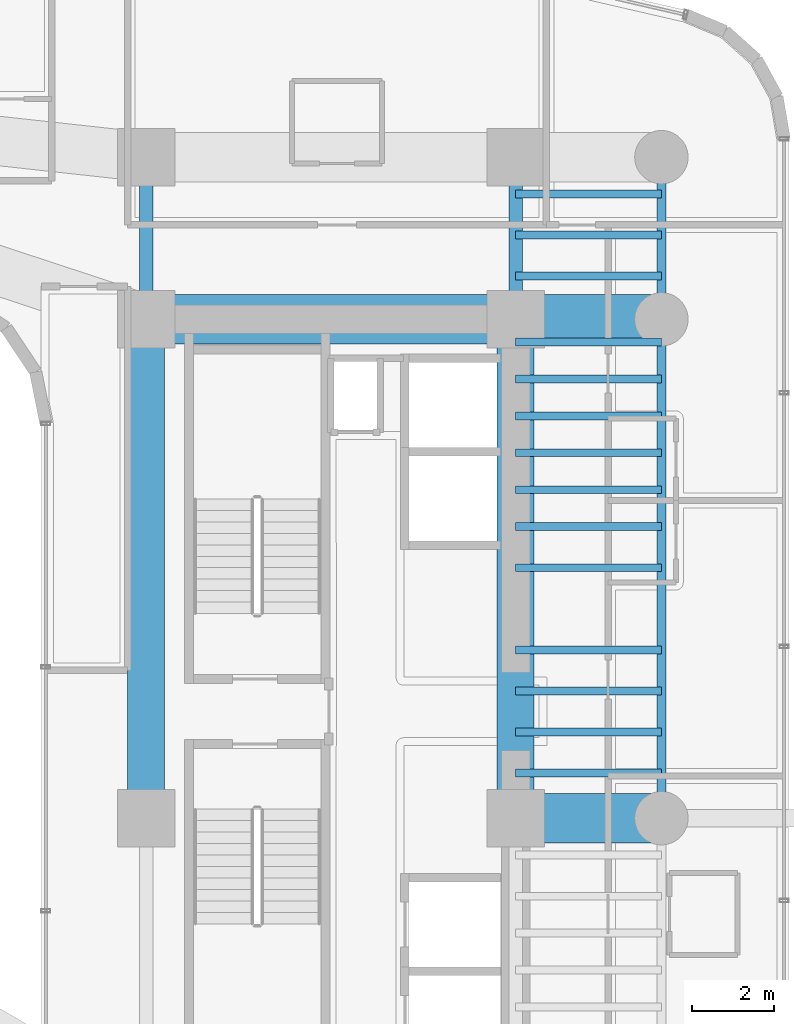
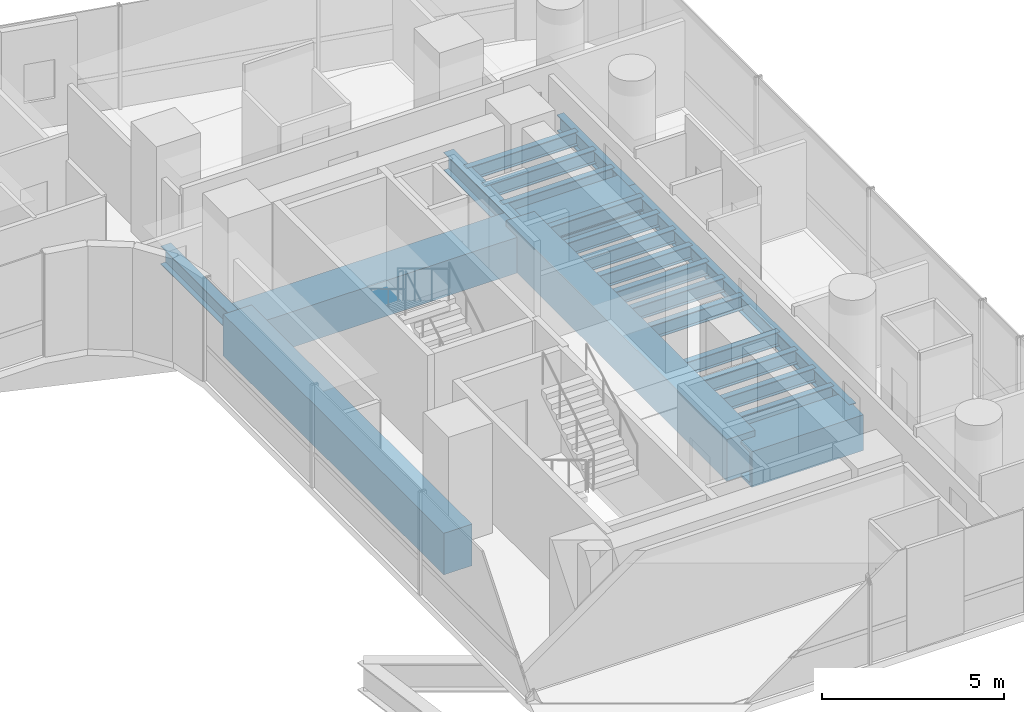
# One storey, part 20 of 50: 23 beams.
"""IFC4 building model written with IfcOpenShell, lengths in metres."""

from ifc_helpers import new_model, si_unit, direction, frame, origin, origin_2d, place, context, subcontext, project, spatial, rectangle, hollow_rectangle, i_section, extrude, source, transform, mapped, material, material_profile, profile_set, type_object, element, save


model = new_model("IFC4")

# Units and contexts
model_context = context("Model", 3, precision=1e-05, world=origin(), true_north=direction((0.0, 1.0)))
body_context = subcontext(model_context, "Body", "Model", "MODEL_VIEW")
ifc_project = project(units=[si_unit("LENGTHUNIT", "METRE"), si_unit("AREAUNIT", "SQUARE_METRE"), si_unit("VOLUMEUNIT", "CUBIC_METRE"), si_unit("PLANEANGLEUNIT", "RADIAN"), si_unit("MASSUNIT", "GRAM", prefix="KILO")], contexts=[model_context])

# Site, building, storey
site_placement = place(None, origin())
site = spatial("IfcSite", under=ifc_project, at=site_placement, CompositionType="ELEMENT")
building_placement = place(site_placement, origin())
building = spatial("IfcBuilding", under=site, at=building_placement, Name="Valdorenza Pilgrim Sanctuary Tower", CompositionType="ELEMENT")
storey_placement = place(building_placement, frame((0.0, 0.0, 26.0)))
storey = spatial("IfcBuildingStorey", under=building, at=storey_placement, Name="L05", CompositionType="ELEMENT", Elevation=26.0)

# Beams
ifc_material_1 = material(Name="Concrete C60/75", Category="concrete")
ifc_material_profile_1 = material_profile(ifc_material_1, rectangle(XDim=0.89990234375, YDim=1.39990234375, at=origin_2d()), Name="RC 1400x900")
ifc_profile_set_1 = profile_set([ifc_material_profile_1], Name="Concrete C60/75")
beam_type_1 = type_object("IfcBeamType", Name="STR-BM-LNT-1400", PredefinedType="LINTEL", material=ifc_profile_set_1)
shared_shape_1 = source(origin(), body_context, "Body", "SweptSolid", [
    extrude(rectangle(XDim=0.89990234375, YDim=1.39990234375, at=origin_2d()), origin(), (0.0, 0.0, 1.0), 12.150146484375),
])
for number, where, z_axis, x_axis, name in (
    (1, (15.85009765625, -2.60009765625, -0.739990234375), (0.0, 1.0, 0.0), (-1.0, 0.0, 0.0), "L05 Core B West Coupling Lintel Girder"),
    (2, (24.85009765625, -2.60009765625, -0.739990234375), (0.0, 1.0, 0.0), (-1.0, 0.0, 0.0), "L05 Core B East Coupling Lintel Girder"),
):
    element("IfcBeam", number, at=place(storey_placement, frame(where, z_axis=z_axis, x_axis=x_axis)), inside=storey, type_object=beam_type_1, Name=name, PredefinedType="LINTEL", context=body_context, shape_type="MappedRepresentation", body=[
        mapped(shared_shape_1, transform((0.0, 0.0, 0.0), x_axis=(1.0, 0.0, 0.0), y_axis=(0.0, 1.0, 0.0), z_axis=(0.0, 0.0, 1.0), scale=1.0)),
    ])
ifc_material_2 = material(Name="Steel ASTM A992 Grade 50", Category="steel")
ifc_material_profile_2 = material_profile(ifc_material_2, i_section(OverallWidth=0.214111328125, OverallDepth=0.549072265625, WebThickness=0.0146484375, FlangeThickness=0.023681640625, at=origin_2d()), Name="W21X93")
ifc_profile_set_2 = profile_set([ifc_material_profile_2], Name="Steel ASTM A992 Grade 50")
beam_type_2 = type_object("IfcBeamType", Name="STR-BM-SPN-W21A", PredefinedType="SPANDREL", material=ifc_profile_set_2)
shared_shape_2 = source(origin(), body_context, "Body", "SweptSolid", [
    extrude(i_section(OverallWidth=0.214111328125, OverallDepth=0.549072265625, WebThickness=0.0146484375, FlangeThickness=0.023681640625, at=origin_2d()), origin(), (0.0, 0.0, 1.0), 12.150146484375),
])
beam_1_placement = place(storey_placement, frame((28.39990234375, -2.60009765625, -0.514404296875), z_axis=(0.0, 1.0, 0.0), x_axis=(-1.0, 0.0, 0.0)))
element("IfcBeam", 3, at=beam_1_placement, inside=storey, type_object=beam_type_2, Name="L05 Spandrel Beam WB-E-M0N1", PredefinedType="SPANDREL", context=body_context, shape_type="MappedRepresentation", body=[
    mapped(shared_shape_2, transform((0.0, 0.0, 0.0), x_axis=(1.0, 0.0, 0.0), y_axis=(0.0, 1.0, 0.0), z_axis=(0.0, 0.0, 1.0), scale=1.0)),
])
ifc_material_profile_3 = material_profile(ifc_material_2, i_section(OverallWidth=0.323974609375, OverallDepth=0.611083984375, WebThickness=0.0126953125, FlangeThickness=0.01904296875, at=origin_2d()), Name="W24X104")
ifc_profile_set_3 = profile_set([ifc_material_profile_3], Name="Steel ASTM A992 Grade 50")
beam_type_3 = type_object("IfcBeamType", Name="STR-BM-GRD-W24B", PredefinedType="BEAM", material=ifc_profile_set_3)
shared_shape_3 = source(origin(), body_context, "Body", "SweptSolid", [
    extrude(i_section(OverallWidth=0.323974609375, OverallDepth=0.611083984375, WebThickness=0.0126953125, FlangeThickness=0.01904296875, at=origin_2d()), origin(), (0.0, 0.0, 1.0), 3.949951171875),
])
for number, where, z_axis, x_axis, name in (
    (4, (15.85009765625, 9.550048828125, -0.54541015625), (0.0, 1.0, 0.0), (-1.0, 0.0, 0.0), "L05 Core Tie Girder CB-W-N1N2"),
    (5, (24.85009765625, 9.550048828125, -0.54541015625), (0.0, 1.0, 0.0), (-1.0, 0.0, 0.0), "L05 Core Tie Girder CB-E-N1N2"),
):
    element("IfcBeam", number, at=place(storey_placement, frame(where, z_axis=z_axis, x_axis=x_axis)), inside=storey, type_object=beam_type_3, Name=name, PredefinedType="BEAM", context=body_context, shape_type="MappedRepresentation", body=[
        mapped(shared_shape_3, transform((0.0, 0.0, 0.0), x_axis=(1.0, 0.0, 0.0), y_axis=(0.0, 1.0, 0.0), z_axis=(0.0, 0.0, 1.0), scale=1.0)),
    ])
shared_shape_4 = source(origin(), body_context, "Body", "SweptSolid", [
    extrude(i_section(OverallWidth=0.214111328125, OverallDepth=0.549072265625, WebThickness=0.0146484375, FlangeThickness=0.023681640625, at=origin_2d()), origin(), (0.0, 0.0, 1.0), 3.949951171875),
])
beam_2_placement = place(storey_placement, frame((28.39990234375, 9.550048828125, -0.514404296875), z_axis=(0.0, 1.0, 0.0), x_axis=(-1.0, 0.0, 0.0)))
element("IfcBeam", 6, at=beam_2_placement, inside=storey, type_object=beam_type_2, Name="L05 Spandrel Beam WB-E-N1N2", PredefinedType="SPANDREL", context=body_context, shape_type="MappedRepresentation", body=[
    mapped(shared_shape_4, transform((0.0, 0.0, 0.0), x_axis=(1.0, 0.0, 0.0), y_axis=(0.0, 1.0, 0.0), z_axis=(0.0, 0.0, 1.0), scale=1.0)),
])
ifc_material_profile_4 = material_profile(ifc_material_2, i_section(OverallWidth=0.193115234375, OverallDepth=0.466064453125, WebThickness=0.011474609375, FlangeThickness=0.01904296875, at=origin_2d()), Name="W18X65")
ifc_profile_set_4 = profile_set([ifc_material_profile_4], Name="Steel ASTM A992 Grade 50")
beam_type_4 = type_object("IfcBeamType", Name="STR-BM-JST-W18A", PredefinedType="JOIST", material=ifc_profile_set_4)
shared_shape_5 = source(origin(), body_context, "Body", "SweptSolid", [
    extrude(i_section(OverallWidth=0.193115234375, OverallDepth=0.466064453125, WebThickness=0.011474609375, FlangeThickness=0.01904296875, at=origin_2d()), origin(), (0.0, 0.0, 1.0), 3.5498046875),
])
for number, where, z_axis, x_axis, name in (
    (7, (24.85009765625, -1.5, -0.472900390625), (1.0, 0.0, 0.0), (0.0, 1.0, 0.0), "L05 Composite Floor Joist JST-WB-8"),
    (8, (24.85009765625, -0.5, -0.472900390625), (1.0, 0.0, 0.0), (0.0, 1.0, 0.0), "L05 Composite Floor Joist JST-WB-9"),
    (9, (24.85009765625, 0.5, -0.472900390625), (1.0, 0.0, 0.0), (0.0, 1.0, 0.0), "L05 Composite Floor Joist JST-WB-10"),
    (10, (24.85009765625, 1.5, -0.472900390625), (1.0, 0.0, 0.0), (0.0, 1.0, 0.0), "L05 Composite Floor Joist JST-WB-11"),
    (11, (24.85009765625, 3.5, -0.472900390625), (1.0, 0.0, 0.0), (0.0, 1.0, 0.0), "L05 Composite Floor Joist JST-WB-12"),
    (12, (24.85009765625, 4.5, -0.472900390625), (1.0, 0.0, 0.0), (0.0, 1.0, 0.0), "L05 Composite Floor Joist JST-WB-13"),
    (13, (24.85009765625, 5.39990234375, -0.472900390625), (1.0, 0.0, 0.0), (0.0, 1.0, 0.0), "L05 Composite Floor Joist JST-WB-14"),
    (14, (24.85009765625, 6.300048828125, -0.472900390625), (1.0, 0.0, 0.0), (0.0, 1.0, 0.0), "L05 Composite Floor Joist JST-WB-15"),
    (15, (24.85009765625, 7.199951171875, -0.472900390625), (1.0, 0.0, 0.0), (0.0, 1.0, 0.0), "L05 Composite Floor Joist JST-WB-16"),
    (16, (24.85009765625, 8.10009765625, -0.472900390625), (1.0, 0.0, 0.0), (0.0, 1.0, 0.0), "L05 Composite Floor Joist JST-WB-17"),
    (17, (24.85009765625, 9.0, -0.472900390625), (1.0, 0.0, 0.0), (0.0, 1.0, 0.0), "L05 Composite Floor Joist JST-WB-18"),
    (18, (24.85009765625, 10.60009765625, -0.472900390625), (1.0, 0.0, 0.0), (0.0, 1.0, 0.0), "L05 Composite Floor Joist JST-WB-19"),
    (19, (24.85009765625, 11.60009765625, -0.472900390625), (1.0, 0.0, 0.0), (0.0, 1.0, 0.0), "L05 Composite Floor Joist JST-WB-20"),
    (20, (24.85009765625, 12.60009765625, -0.472900390625), (1.0, 0.0, 0.0), (0.0, 1.0, 0.0), "L05 Composite Floor Joist JST-WB-21"),
):
    element("IfcBeam", number, at=place(storey_placement, frame(where, z_axis=z_axis, x_axis=x_axis)), inside=storey, type_object=beam_type_4, Name=name, PredefinedType="JOIST", context=body_context, shape_type="MappedRepresentation", body=[
        mapped(shared_shape_5, transform((0.0, 0.0, 0.0), x_axis=(1.0, 0.0, 0.0), y_axis=(0.0, 1.0, 0.0), z_axis=(0.0, 0.0, 1.0), scale=1.0)),
    ])
ifc_material_3 = material(Name="Steel ASTM A572 Grade 42", Category="steel")
ifc_material_profile_5 = material_profile(ifc_material_3, hollow_rectangle(XDim=1.199951171875, YDim=1.199951171875, WallThickness=0.090087890625, at=origin_2d()), Name="BOX 1200x1200x90")
ifc_profile_set_5 = profile_set([ifc_material_profile_5], Name="Steel ASTM A572 Grade 42")
beam_type_5 = type_object("IfcBeamType", Name="STR-BM-TRF-1200", PredefinedType="BEAM", material=ifc_profile_set_5)
shared_shape_6 = source(origin(), body_context, "Body", "SweptSolid", [
    extrude(hollow_rectangle(XDim=1.199951171875, YDim=1.199951171875, WallThickness=0.090087890625, at=origin_2d()), origin(), (0.0, 0.0, 1.0), 9.0),
])
beam_3_placement = place(storey_placement, frame((15.85009765625, 9.550048828125, -0.840087890625), z_axis=(1.0, 0.0, 0.0), x_axis=(0.0, 1.0, 0.0)))
element("IfcBeam", 21, at=beam_3_placement, inside=storey, type_object=beam_type_5, Name="L05 Transfer Girder CB-XC-N1", PredefinedType="BEAM", context=body_context, shape_type="MappedRepresentation", body=[
    mapped(shared_shape_6, transform((0.0, 0.0, 0.0), x_axis=(1.0, 0.0, 0.0), y_axis=(0.0, 1.0, 0.0), z_axis=(0.0, 0.0, 1.0), scale=1.0)),
])
shared_shape_7 = source(origin(), body_context, "Body", "SweptSolid", [
    extrude(hollow_rectangle(XDim=1.199951171875, YDim=1.199951171875, WallThickness=0.090087890625, at=origin_2d()), origin(), (0.0, 0.0, 1.0), 3.5498046875),
])
for number, where, z_axis, x_axis, name in (
    (22, (24.85009765625, -2.60009765625, -0.840087890625), (1.0, 0.0, 0.0), (0.0, 1.0, 0.0), "L05 Transfer Girder WB-XE-M0"),
    (23, (24.85009765625, 9.550048828125, -0.840087890625), (1.0, 0.0, 0.0), (0.0, 1.0, 0.0), "L05 Transfer Girder WB-XE-N1"),
):
    element("IfcBeam", number, at=place(storey_placement, frame(where, z_axis=z_axis, x_axis=x_axis)), inside=storey, type_object=beam_type_5, Name=name, PredefinedType="BEAM", context=body_context, shape_type="MappedRepresentation", body=[
        mapped(shared_shape_7, transform((0.0, 0.0, 0.0), x_axis=(1.0, 0.0, 0.0), y_axis=(0.0, 1.0, 0.0), z_axis=(0.0, 0.0, 1.0), scale=1.0)),
    ])

save(model, "model.ifc")
